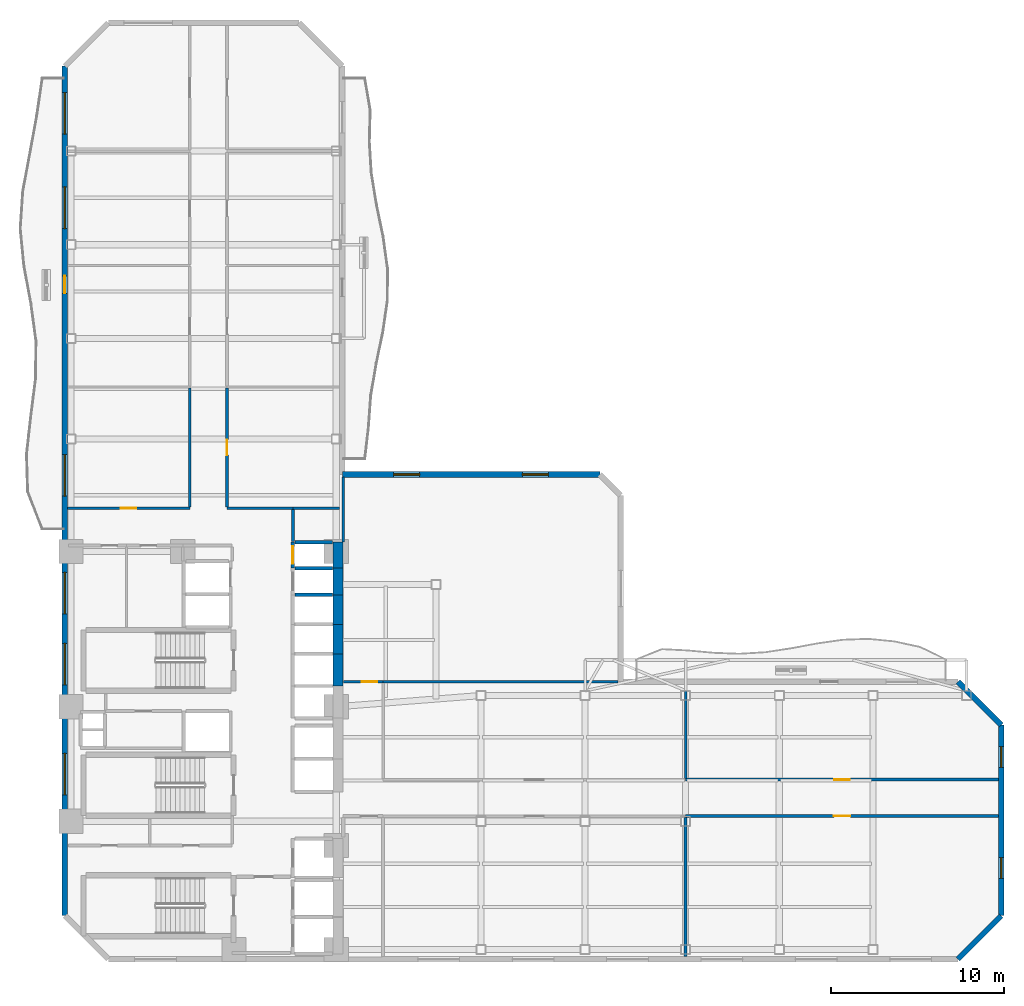
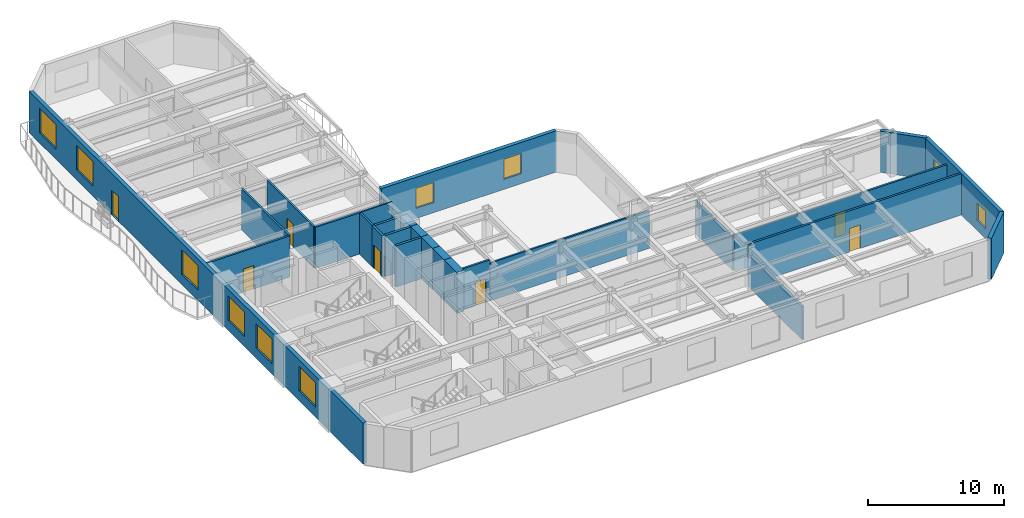
# One storey, part 5 of 10: 27 walls, 10 windows, 7 doors, 17 openings.
"""IFC4 building model written with IfcOpenShell, lengths in metres."""

import ifcopenshell
import ifcopenshell.guid

model = None  # the IFC model being written
_history = None  # IfcOwnerHistory: only IFC2X3 demands one
_inside = {}  # id of a spatial element -> (the spatial element, [elements in it])
_under = {}  # id of a project, library or spatial element -> (it, [spatial elements below it])
_declared = {}  # id of a project -> (the project, [libraries it declares])
_typed = {}  # id of a type object -> (the type object, [elements of that type])
_made_of = {}  # id of a material, layer set ... -> (it, [elements and type objects made of it])


def new_model(schema):
    """Start an empty IFC model of exactly this schema.

    Asked for "IFC4X3", IfcOpenShell would pick the latest addendum, in which some entities
    have other attributes; the version numbers below select the first issue.
    IFC2X3 requires an IfcOwnerHistory on every rooted entity: one is made here for all.
    """
    global model, _history
    if schema == "IFC4X3":
        model = ifcopenshell.file(schema_version=(4, 3, 0, 0))
    else:
        model = ifcopenshell.file(schema=schema)
    _inside.clear()
    _under.clear()
    _declared.clear()
    _typed.clear()
    _made_of.clear()
    _history = None
    if model.schema == "IFC2X3":
        org = make("IfcOrganization", Name="unknown")
        user = make(
            "IfcPersonAndOrganization",
            ThePerson=make("IfcPerson", FamilyName="unknown"),
            TheOrganization=org,
        )
        app = make(
            "IfcApplication",
            ApplicationDeveloper=org,
            Version="unknown",
            ApplicationFullName="unknown",
            ApplicationIdentifier="unknown",
        )
        _history = make(
            "IfcOwnerHistory",
            OwningUser=user,
            OwningApplication=app,
            ChangeAction="ADDED",
            CreationDate=0,
        )
    return model


def make(cls, **values):
    """One entity of the class cls with the attributes given. An attribute that is None is left unset."""
    return model.create_entity(
        cls, **{name: value for name, value in values.items() if value is not None}
    )


def rooted(cls, **values):
    """An entity with a GlobalId (a new one), such as an element, a storey or a relation."""
    return make(cls, GlobalId=ifcopenshell.guid.new(), OwnerHistory=_history, **values)


def si_unit(unit_type, name, prefix=None):
    """IfcSIUnit, for example si_unit("LENGTHUNIT", "METRE", prefix="MILLI")."""
    return make("IfcSIUnit", UnitType=unit_type, Prefix=prefix, Name=name)


def assignment(units):
    """IfcUnitAssignment: the units of a project."""
    return None if units is None else make("IfcUnitAssignment", Units=units)


def point(xyz):
    """IfcCartesianPoint."""
    return None if xyz is None else make("IfcCartesianPoint", Coordinates=xyz)


def direction(xyz):
    """IfcDirection."""
    return None if xyz is None else make("IfcDirection", DirectionRatios=xyz)


def frame(location, z_axis=None, x_axis=None):
    """IfcAxis2Placement3D, a coordinate frame: its origin and axes. An axis left out is left unset."""
    return make(
        "IfcAxis2Placement3D",
        Location=point(location),
        Axis=direction(z_axis),
        RefDirection=direction(x_axis),
    )


def frame_2d(location, x_axis=None):
    """IfcAxis2Placement2D, a coordinate frame in the plane: its origin and x axis."""
    return make(
        "IfcAxis2Placement2D", Location=point(location), RefDirection=direction(x_axis)
    )


def origin():
    """The frame at (0, 0, 0) with its axes left unset."""
    return frame((0.0, 0.0, 0.0))


def place(relative_to, where):
    """IfcLocalPlacement: puts the frame where relative to a parent placement (None: the world)."""
    return make(
        "IfcLocalPlacement", PlacementRelTo=relative_to, RelativePlacement=where
    )


def context(
    kind, dimensions, precision=None, world=None, true_north=None, identifier=None
):
    """IfcGeometricRepresentationContext, for example the 3D "Model" context."""
    return make(
        "IfcGeometricRepresentationContext",
        ContextIdentifier=identifier,
        ContextType=kind,
        CoordinateSpaceDimension=dimensions,
        Precision=precision,
        WorldCoordinateSystem=world,
        TrueNorth=true_north,
    )


def subcontext(parent, identifier, kind, view, scale=None):
    """IfcGeometricRepresentationSubContext, for example "Body" below "Model"."""
    return make(
        "IfcGeometricRepresentationSubContext",
        ContextIdentifier=identifier,
        ContextType=kind,
        ParentContext=parent,
        TargetScale=scale,
        TargetView=view,
    )


def project(units=None, contexts=None):
    """IfcProject with its units and contexts."""
    return rooted(
        "IfcProject",
        Name="project",
        RepresentationContexts=contexts,
        UnitsInContext=assignment(units),
    )


def spatial(cls, under=None, at=None, **own):
    """A site, building, storey or space (cls), placed at a placement, below another one or the project."""
    s = rooted(cls, ObjectPlacement=at, **own)
    if under is not None:
        _under.setdefault(under.id(), (under, []))[1].append(s)
    return s


def profile(cls, at=None, kind="AREA", **sizes):
    """A parametric profile (cls). Its sizes go by their IFC names, for example OverallWidth=200.0."""
    return make(cls, ProfileType=kind, Position=at, **sizes)


def rectangle(**sizes):
    """IfcRectangleProfileDef."""
    return profile("IfcRectangleProfileDef", **sizes)


def extrude(swept, where, along, depth):
    """IfcExtrudedAreaSolid: the profile swept, set in the frame where, extruded along a direction by depth."""
    return make(
        "IfcExtrudedAreaSolid",
        SweptArea=swept,
        Position=where,
        ExtrudedDirection=direction(along),
        Depth=depth,
    )


def shape(context_of_items, identifier, shape_type, items):
    """IfcShapeRepresentation: the items that make up one representation, for example the "Body"."""
    return make(
        "IfcShapeRepresentation",
        ContextOfItems=context_of_items,
        RepresentationIdentifier=identifier,
        RepresentationType=shape_type,
        Items=items,
    )


def material(Name=None, Category=None):
    """IfcMaterial."""
    return make("IfcMaterial", Name=Name, Category=Category)


def layer(
    of_material, thickness, ventilated=None, Name=None, Category=None, Priority=None
):
    """IfcMaterialLayer: one layer of a wall or slab, of a material (None: an air gap)."""
    return make(
        "IfcMaterialLayer",
        Material=of_material,
        LayerThickness=thickness,
        IsVentilated=ventilated,
        Name=Name,
        Category=Category,
        Priority=Priority,
    )


def layer_set(layers, Name=None):
    """IfcMaterialLayerSet."""
    return make("IfcMaterialLayerSet", MaterialLayers=layers, LayerSetName=Name)


def made_of(thing, what):
    """Note that an element or type object is made of a material, layer set ...; save() writes the relation."""
    if what is not None:
        _made_of.setdefault(what.id(), (what, []))[1].append(thing)
    return thing


def type_object(cls, material=None, **own):
    """A type object (cls), such as IfcWallType, which elements share."""
    return made_of(rooted(cls, **own), material)


def element(
    cls,
    number,
    at=None,
    inside=None,
    cuts=None,
    type_object=None,
    material=None,
    context=None,
    identifier="Body",
    shape_type=None,
    held_by="IfcProductDefinitionShape",
    body=None,
    shapes=None,
    **own,
):
    """One element of the class cls, such as IfcWall. Its Tag is "e" and its number.

    at: its placement. inside: the storey or other place that contains it. cuts: it is an
    opening in that element (IfcRelVoidsElement). A single representation is given by context,
    identifier, shape_type and body (its items); several are given by shapes. held_by: the class
    of the entity that holds the representations. save() writes the other relations.
    """
    e = rooted(cls, Tag="e%d" % number, ObjectPlacement=at, **own)
    if body is not None:
        shapes = [shape(context, identifier, shape_type, body)]
    if shapes is not None:
        e.Representation = make(held_by, Representations=shapes)
    if inside is not None:
        _inside.setdefault(inside.id(), (inside, []))[1].append(e)
    if cuts is not None:
        rooted(
            "IfcRelVoidsElement", RelatingBuildingElement=cuts, RelatedOpeningElement=e
        )
    if type_object is not None:
        _typed.setdefault(type_object.id(), (type_object, []))[1].append(e)
    return made_of(e, material)


def fill(opening, filler):
    """IfcRelFillsElement: the door or window that sits in an opening."""
    return rooted(
        "IfcRelFillsElement",
        RelatingOpeningElement=opening,
        RelatedBuildingElement=filler,
    )


def aggregate(whole, parts):
    """IfcRelAggregates: a whole, such as a stair, and the parts it consists of."""
    return rooted("IfcRelAggregates", RelatingObject=whole, RelatedObjects=parts)


def save(model, path):
    """Write the relations noted so far, then the file.

    IfcRelAggregates (storeys below a building ...), IfcRelContainedInSpatialStructure (elements
    in a storey), IfcRelDefinesByType, IfcRelAssociatesMaterial and IfcRelDeclares: one each for
    every whole, place, type object, material and project.
    """
    for whole, parts in _under.values():
        aggregate(whole, parts)
    for where, things in _inside.values():
        rooted(
            "IfcRelContainedInSpatialStructure",
            RelatedElements=things,
            RelatingStructure=where,
        )
    for kind, things in _typed.values():
        rooted("IfcRelDefinesByType", RelatedObjects=things, RelatingType=kind)
    for what, things in _made_of.values():
        rooted("IfcRelAssociatesMaterial", RelatedObjects=things, RelatingMaterial=what)
    for by, libraries in _declared.values():
        rooted("IfcRelDeclares", RelatingContext=by, RelatedDefinitions=libraries)
    model.write(path)


model = new_model("IFC4")

# Units and contexts
model_context = context("Model", 3, precision=1e-05, world=origin(), true_north=direction((0.0, 1.0)))
body_context = subcontext(model_context, "Body", "Model", "MODEL_VIEW")
ifc_project = project(units=[si_unit("LENGTHUNIT", "METRE"), si_unit("AREAUNIT", "SQUARE_METRE"), si_unit("VOLUMEUNIT", "CUBIC_METRE"), si_unit("PLANEANGLEUNIT", "RADIAN"), si_unit("MASSUNIT", "GRAM", prefix="KILO")], contexts=[model_context])

# Site, building, storey
site_placement = place(None, origin())
site = spatial("IfcSite", under=ifc_project, at=site_placement, CompositionType="ELEMENT")
building_placement = place(site_placement, origin())
building = spatial("IfcBuilding", under=site, at=building_placement, Name="Mawjaban Terraces University", CompositionType="ELEMENT")
storey_placement = place(building_placement, frame((0.0, 0.0, 46.60009765625)))
storey = spatial("IfcBuildingStorey", under=building, at=storey_placement, Name="L10", CompositionType="ELEMENT", Elevation=46.60009765625)

# Wall, opening, door
ifc_material_1 = material(Name="Acoustic masonry blockwork", Category="masonry")
ifc_layer_1 = layer(ifc_material_1, 0.179931640625)
ifc_layer_set_1 = layer_set([ifc_layer_1], Name="Acoustic masonry blockwork")
wall_type_1 = type_object("IfcWallType", Name="AcousticStudioWall_180", PredefinedType="PARTITIONING", material=ifc_layer_set_1)
wall_1_placement = place(storey_placement, frame((57.800048828125, 8.25, 0.0), z_axis=(0.0, 0.0, 1.0), x_axis=(1.0, 0.0, 0.0)))
wall_1 = element("IfcWall", 1, at=wall_1_placement, inside=storey, type_object=wall_type_1, Name="L10 East Academic Spine Corridor Partition 23", PredefinedType="PARTITIONING", context=body_context, shape_type="SweptSolid", body=[
    extrude(rectangle(XDim=18.044921875, YDim=0.179931640625, at=frame_2d((9.0224609375, 0.0))), origin(), (0.0, 0.0, 1.0), 3.68994140625),
])
opening_1_placement = place(wall_1_placement, frame((8.548095703125, 0.0, 0.0)))
opening_1 = element("IfcOpeningElement", 2, at=opening_1_placement, cuts=wall_1, Name="Opening ID-095", PredefinedType="OPENING", context=body_context, shape_type="SweptSolid", body=[
    extrude(rectangle(XDim=0.949951171875, YDim=2.10009765625, at=frame_2d((0.47509765625, 1.050048828125))), frame((0.0, 0.099853515625, 0.0), z_axis=(0.0, -1.0, 0.0), x_axis=(1.0, 0.0, 0.0)), (0.0, 0.0, 1.0), 0.199951171875),
])
ifc_material_2 = material(Name="Powder-coated steel frame and solid acoustic timber leaf", Category="steel")
door_type_1 = type_object("IfcDoorType", Name="StudioDoor_950x2100", OperationType="NOTDEFINED", PredefinedType="DOOR", material=ifc_material_2)
door_1_placement = place(opening_1_placement, origin())
door_1 = element("IfcDoor", 3, at=door_1_placement, inside=storey, type_object=door_type_1, Name="L10 Design Studio 4 Door", OperationType="SINGLE_SWING_LEFT", OverallHeight=2.10009765625, OverallWidth=0.949951171875, PredefinedType="DOOR", context=body_context, shape_type="SweptSolid", body=[
    extrude(rectangle(XDim=0.949951171875, YDim=2.10009765625, at=frame_2d((0.47509765625, 1.050048828125))), frame((0.0, 0.02490234375, 0.0), z_axis=(0.0, -1.0, 0.0), x_axis=(1.0, 0.0, 0.0)), (0.0, 0.0, 1.0), 0.050048828125),
])
fill(opening_1, door_1)

# Walls
wall_2_placement = place(storey_placement, frame((57.800048828125, 0.155029296875, 0.0), z_axis=(0.0, 0.0, 1.0), x_axis=(0.0, 1.0, 0.0)))
element("IfcWall", 4, at=wall_2_placement, inside=storey, type_object=wall_type_1, Name="L10 Computational Laboratory 2 Partition 45", PredefinedType="PARTITIONING", context=body_context, shape_type="SweptSolid", body=[
    extrude(rectangle(XDim=8.010009765625, YDim=0.179931640625, at=frame_2d((4.0048828125, 0.0))), origin(), (0.0, 0.0, 1.0), 2.994873046875),
])
ifc_material_3 = material(Name="Concrete C70/85", Category="concrete")
ifc_layer_2 = layer(ifc_material_3, 0.60009765625)
ifc_layer_set_2 = layer_set([ifc_layer_2], Name="Concrete C70/85")
wall_type_2 = type_object("IfcWallType", Name="CoreShearWall_600", PredefinedType="SHEAR", material=ifc_layer_set_2)
wall_3_placement = place(storey_placement, frame((37.75, 15.75, 0.0), z_axis=(0.0, 0.0, 1.0), x_axis=(0.0, 1.0, 0.0)))
element("IfcWall", 5, at=wall_3_placement, inside=storey, type_object=wall_type_2, Name="L10 Lift OL-2 Hoistway Wall East", PredefinedType="SHEAR", context=body_context, shape_type="SweptSolid", body=[
    extrude(rectangle(XDim=1.85009765625, YDim=0.60009765625, at=frame_2d((0.925048828125, 0.0))), origin(), (0.0, 0.0, 1.0), 3.68994140625),
])
for number, where, z_axis, x_axis, name in (
    (6, (37.75, 17.60009765625, 0.0), (0.0, 0.0, 1.0), (0.0, 1.0, 0.0), "L10 Lift PL-M1 Hoistway Wall East"),
    (7, (37.75, 19.300048828125, 0.0), (0.0, 0.0, 1.0), (0.0, 1.0, 0.0), "L10 Lift PL-M2 Hoistway Wall East"),
):
    element("IfcWall", number, at=place(storey_placement, frame(where, z_axis=z_axis, x_axis=x_axis)), inside=storey, type_object=wall_type_2, Name=name, PredefinedType="SHEAR", context=body_context, shape_type="SweptSolid", body=[
        extrude(rectangle(XDim=1.699951171875, YDim=0.60009765625, at=frame_2d((0.85009765625, 0.0))), origin(), (0.0, 0.0, 1.0), 3.68994140625),
    ])
wall_4_placement = place(storey_placement, frame((37.75, 21.0, 0.0), z_axis=(0.0, 0.0, 1.0), x_axis=(0.0, 1.0, 0.0)))
element("IfcWall", 8, at=wall_4_placement, inside=storey, type_object=wall_type_2, Name="L10 Lift PL-L1 Hoistway Wall East", PredefinedType="SHEAR", context=body_context, shape_type="SweptSolid", body=[
    extrude(rectangle(XDim=1.550048828125, YDim=0.60009765625, at=frame_2d((0.77490234375, 0.0))), origin(), (0.0, 0.0, 1.0), 3.68994140625),
])
wall_5_placement = place(storey_placement, frame((37.75, 22.550048828125, 0.0), z_axis=(0.0, 0.0, 1.0), x_axis=(0.0, 1.0, 0.0)))
element("IfcWall", 9, at=wall_5_placement, inside=storey, type_object=wall_type_2, Name="L10 Lift PL-L2 Hoistway Wall East", PredefinedType="SHEAR", context=body_context, shape_type="SweptSolid", body=[
    extrude(rectangle(XDim=1.5, YDim=0.60009765625, at=frame_2d((0.75, 0.0))), origin(), (0.0, 0.0, 1.0), 3.68994140625),
])

# Wall, opening, door
ifc_material_4 = material(Name="Fire-rated gypsum board on steel stud", Category="steel")
ifc_layer_3 = layer(ifc_material_4, 0.159912109375)
ifc_layer_set_3 = layer_set([ifc_layer_3], Name="Fire-rated gypsum board on steel stud")
wall_type_3 = type_object("IfcWallType", Name="CorridorPartition_160", PredefinedType="PARTITIONING", material=ifc_layer_set_3)
wall_6_placement = place(storey_placement, frame((29.199951171875, 26.0, 0.0), z_axis=(0.0, 0.0, 1.0), x_axis=(-1.0, 0.0, 0.0)))
wall_6 = element("IfcWall", 10, at=wall_6_placement, inside=storey, type_object=wall_type_3, Name="L10 North Core Cross-Corridor Partition 7", PredefinedType="PARTITIONING", context=body_context, shape_type="SweptSolid", body=[
    extrude(rectangle(XDim=7.044921875, YDim=0.159912109375, at=frame_2d((3.5224609375, 0.0))), origin(), (0.0, 0.0, 1.0), 3.68994140625),
])
opening_2_placement = place(wall_6_placement, frame((3.072021484375, 0.0, 0.0)))
opening_2 = element("IfcOpeningElement", 11, at=opening_2_placement, cuts=wall_6, Name="Opening ID-090", PredefinedType="OPENING", context=body_context, shape_type="SweptSolid", body=[
    extrude(rectangle(XDim=0.89990234375, YDim=2.10009765625, at=frame_2d((0.449951171875, 1.050048828125))), frame((0.0, 0.08984375, 0.0), z_axis=(0.0, -1.0, 0.0), x_axis=(1.0, 0.0, 0.0)), (0.0, 0.0, 1.0), 0.179931640625),
])
door_type_2 = type_object("IfcDoorType", Name="OfficeDoor_900x2100", OperationType="NOTDEFINED", PredefinedType="DOOR", material=ifc_material_2)
door_2_placement = place(opening_2_placement, origin())
door_2 = element("IfcDoor", 12, at=door_2_placement, inside=storey, type_object=door_type_2, Name="L10 Departmental Office 6 Door", OperationType="SINGLE_SWING_LEFT", OverallHeight=2.10009765625, OverallWidth=0.89990234375, PredefinedType="DOOR", context=body_context, shape_type="SweptSolid", body=[
    extrude(rectangle(XDim=0.89990234375, YDim=2.10009765625, at=frame_2d((0.449951171875, 1.050048828125))), frame((0.0, 0.02490234375, 0.0), z_axis=(0.0, -1.0, 0.0), x_axis=(1.0, 0.0, 0.0)), (0.0, 0.0, 1.0), 0.050048828125),
])
fill(opening_2, door_2)

# Wall
wall_7_placement = place(storey_placement, frame((35.14990234375, 26.0, 0.0), z_axis=(0.0, 0.0, 1.0), x_axis=(-1.0, 0.0, 0.0)))
element("IfcWall", 13, at=wall_7_placement, inside=storey, type_object=wall_type_3, Name="L10 North Core Cross-Corridor Partition 14", PredefinedType="PARTITIONING", context=body_context, shape_type="SweptSolid", body=[
    extrude(rectangle(XDim=3.7998046875, YDim=0.159912109375, at=frame_2d((1.89990234375, 0.0))), origin(), (0.0, 0.0, 1.0), 3.68994140625),
])

# Wall, opening, door
wall_8_placement = place(storey_placement, frame((40.35009765625, 16.0, 0.0), z_axis=(0.0, 0.0, 1.0), x_axis=(-1.0, 0.0, 0.0)))
wall_8 = element("IfcWall", 14, at=wall_8_placement, inside=storey, type_object=wall_type_3, Name="L10 East Academic Corridor Vestibule Partition 22", PredefinedType="PARTITIONING", context=body_context, shape_type="SweptSolid", body=[
    extrude(rectangle(XDim=2.27001953125, YDim=0.159912109375, at=frame_2d((1.135009765625, 0.0))), origin(), (0.0, 0.0, 1.0), 3.68994140625),
])
opening_3_placement = place(wall_8_placement, frame((0.3349609375, 0.0, 0.0)))
opening_3 = element("IfcOpeningElement", 15, at=opening_3_placement, cuts=wall_8, Name="Opening ID-090", PredefinedType="OPENING", context=body_context, shape_type="SweptSolid", body=[
    extrude(rectangle(XDim=0.89990234375, YDim=2.10009765625, at=frame_2d((0.449951171875, 1.050048828125))), frame((0.0, 0.08984375, 0.0), z_axis=(0.0, -1.0, 0.0), x_axis=(1.0, 0.0, 0.0)), (0.0, 0.0, 1.0), 0.179931640625),
])
door_3_placement = place(opening_3_placement, origin())
door_3 = element("IfcDoor", 16, at=door_3_placement, inside=storey, type_object=door_type_2, Name="L10 Terrace Collaborative Study Room Door", OperationType="SINGLE_SWING_LEFT", OverallHeight=2.10009765625, OverallWidth=0.89990234375, PredefinedType="DOOR", context=body_context, shape_type="SweptSolid", body=[
    extrude(rectangle(XDim=0.89990234375, YDim=2.10009765625, at=frame_2d((0.449951171875, 1.050048828125))), frame((0.0, 0.02490234375, 0.0), z_axis=(0.0, -1.0, 0.0), x_axis=(1.0, 0.0, 0.0)), (0.0, 0.0, 1.0), 0.050048828125),
])
fill(opening_3, door_3)

wall_9_placement = place(storey_placement, frame((75.844970703125, 10.35009765625, 0.0), z_axis=(0.0, 0.0, 1.0), x_axis=(-1.0, 0.0, 0.0)))
wall_9 = element("IfcWall", 17, at=wall_9_placement, inside=storey, type_object=wall_type_3, Name="L10 East Academic Spine Corridor Partition 25", PredefinedType="PARTITIONING", context=body_context, shape_type="SweptSolid", body=[
    extrude(rectangle(XDim=18.044921875, YDim=0.159912109375, at=frame_2d((9.0224609375, 0.0))), origin(), (0.0, 0.0, 1.0), 3.226806640625),
])
opening_4_placement = place(wall_9_placement, frame((8.572998046875, 0.0, 0.0)))
opening_4 = element("IfcOpeningElement", 18, at=opening_4_placement, cuts=wall_9, Name="Opening ID-090", PredefinedType="OPENING", context=body_context, shape_type="SweptSolid", body=[
    extrude(rectangle(XDim=0.89990234375, YDim=2.10009765625, at=frame_2d((0.449951171875, 1.050048828125))), frame((0.0, 0.08984375, 0.0), z_axis=(0.0, -1.0, 0.0), x_axis=(1.0, 0.0, 0.0)), (0.0, 0.0, 1.0), 0.179931640625),
])
door_4_placement = place(opening_4_placement, origin())
door_4 = element("IfcDoor", 19, at=door_4_placement, inside=storey, type_object=door_type_2, Name="L10 Faculty Office 5 Door", OperationType="SINGLE_SWING_RIGHT", OverallHeight=2.10009765625, OverallWidth=0.89990234375, PredefinedType="DOOR", context=body_context, shape_type="SweptSolid", body=[
    extrude(rectangle(XDim=0.89990234375, YDim=2.10009765625, at=frame_2d((0.449951171875, 1.050048828125))), frame((0.0, 0.02490234375, 0.0), z_axis=(0.0, -1.0, 0.0), x_axis=(1.0, 0.0, 0.0)), (0.0, 0.0, 1.0), 0.050048828125),
])
fill(opening_4, door_4)

# Wall
wall_10_placement = place(storey_placement, frame((29.199951171875, 32.943115234375, 0.0), z_axis=(0.0, 0.0, 1.0), x_axis=(0.0, -1.0, 0.0)))
element("IfcWall", 20, at=wall_10_placement, inside=storey, type_object=wall_type_3, Name="L10 North Academic Spine Corridor Partition 30", PredefinedType="PARTITIONING", context=body_context, shape_type="SweptSolid", body=[
    extrude(rectangle(XDim=6.8681640625, YDim=0.159912109375, at=frame_2d((3.43408203125, 0.0))), origin(), (0.0, 0.0, 1.0), 3.68994140625),
])

# Wall, opening, door
wall_11_placement = place(storey_placement, frame((31.35009765625, 26.074951171875, 0.0), z_axis=(0.0, 0.0, 1.0), x_axis=(0.0, 1.0, 0.0)))
wall_11 = element("IfcWall", 21, at=wall_11_placement, inside=storey, type_object=wall_type_3, Name="L10 North Academic Spine Corridor Partition 34", PredefinedType="PARTITIONING", context=body_context, shape_type="SweptSolid", body=[
    extrude(rectangle(XDim=6.8681640625, YDim=0.159912109375, at=frame_2d((3.43408203125, 0.0))), origin(), (0.0, 0.0, 1.0), 3.68994140625),
])
opening_5_placement = place(wall_11_placement, frame((2.98388671875, 0.0, 0.0)))
opening_5 = element("IfcOpeningElement", 22, at=opening_5_placement, cuts=wall_11, Name="Opening ID-090", PredefinedType="OPENING", context=body_context, shape_type="SweptSolid", body=[
    extrude(rectangle(XDim=0.89990234375, YDim=2.10009765625, at=frame_2d((0.449951171875, 1.050048828125))), frame((0.0, 0.08984375, 0.0), z_axis=(0.0, -1.0, 0.0), x_axis=(1.0, 0.0, 0.0)), (0.0, 0.0, 1.0), 0.179931640625),
])
door_5_placement = place(opening_5_placement, origin())
door_5 = element("IfcDoor", 23, at=door_5_placement, inside=storey, type_object=door_type_2, Name="L10 Academic Workspace 7 Door", OperationType="SINGLE_SWING_RIGHT", OverallHeight=2.10009765625, OverallWidth=0.89990234375, PredefinedType="DOOR", context=body_context, shape_type="SweptSolid", body=[
    extrude(rectangle(XDim=0.89990234375, YDim=2.10009765625, at=frame_2d((0.449951171875, 1.050048828125))), frame((0.0, 0.02490234375, 0.0), z_axis=(0.0, -1.0, 0.0), x_axis=(1.0, 0.0, 0.0)), (0.0, 0.0, 1.0), 0.050048828125),
])
fill(opening_5, door_5)

# Walls
wall_12_placement = place(storey_placement, frame((35.14990234375, 24.070068359375, 0.0), z_axis=(0.0, 0.0, 1.0), x_axis=(0.0, 1.0, 0.0)))
element("IfcWall", 24, at=wall_12_placement, inside=storey, type_object=wall_type_3, Name="L10 North Core Cross-Corridor Partition 40", PredefinedType="PARTITIONING", context=body_context, shape_type="SweptSolid", body=[
    extrude(rectangle(XDim=1.85498046875, YDim=0.159912109375, at=frame_2d((0.927490234375, 0.0))), origin(), (0.0, 0.0, 1.0), 3.68994140625),
])
ifc_material_5 = material(Name="Insulated terracotta rainscreen on concrete backup C40/50", Category="masonry")
ifc_layer_4 = layer(ifc_material_5, 0.320068359375)
ifc_layer_set_4 = layer_set([ifc_layer_4], Name="Insulated terracotta rainscreen on concrete backup C40/50")
wall_type_4 = type_object("IfcWallType", Name="ExtTerracottaWall_320", PredefinedType="SOLIDWALL", material=ifc_layer_set_4)
wall_13_placement = place(storey_placement, frame((73.5, 0.0, 0.0), z_axis=(0.0, 0.0, 1.0), x_axis=(0.707106781187, 0.707106781187, 0.0)))
element("IfcWall", 25, at=wall_13_placement, inside=storey, type_object=wall_type_4, Name="L10 Exterior Terracotta Wall 2", PredefinedType="SOLIDWALL", context=body_context, shape_type="SweptSolid", body=[
    extrude(rectangle(XDim=3.53564453125, YDim=0.320068359375, at=frame_2d((1.767822265625, 0.0))), origin(), (0.0, 0.0, 1.0), 3.68994140625),
])

# Wall, openings, windows
wall_14_placement = place(storey_placement, frame((76.0, 2.5, 0.0), z_axis=(0.0, 0.0, 1.0), x_axis=(0.0, 1.0, 0.0)))
wall_14 = element("IfcWall", 26, at=wall_14_placement, inside=storey, type_object=wall_type_4, Name="L10 Exterior Terracotta Wall 3", PredefinedType="SOLIDWALL", context=body_context, shape_type="SweptSolid", body=[
    extrude(rectangle(XDim=11.0, YDim=0.320068359375, at=frame_2d((5.5, 0.0))), origin(), (0.0, 0.0, 1.0), 3.68994140625),
])
opening_6_placement = place(wall_14_placement, frame((2.14990234375, 0.0, 0.89990234375)))
opening_6 = element("IfcOpeningElement", 27, at=opening_6_placement, cuts=wall_14, Name="Opening W-01", PredefinedType="OPENING", context=body_context, shape_type="SweptSolid", body=[
    extrude(rectangle(XDim=1.199951171875, YDim=1.60009765625, at=frame_2d((0.60009765625, 0.800048828125))), frame((0.0, 0.169921875, 0.0), z_axis=(0.0, -1.0, 0.0), x_axis=(1.0, 0.0, 0.0)), (0.0, 0.0, 1.0), 0.340087890625),
])
opening_7_placement = place(wall_14_placement, frame((8.550048828125, 0.0, 0.89990234375)))
opening_7 = element("IfcOpeningElement", 28, at=opening_7_placement, cuts=wall_14, Name="Opening W-01", PredefinedType="OPENING", context=body_context, shape_type="SweptSolid", body=[
    extrude(rectangle(XDim=1.199951171875, YDim=1.60009765625, at=frame_2d((0.60009765625, 0.800048828125))), frame((0.0, 0.169921875, 0.0), z_axis=(0.0, -1.0, 0.0), x_axis=(1.0, 0.0, 0.0)), (0.0, 0.0, 1.0), 0.340087890625),
])
ifc_material_6 = material(Name="Low-E solar-control double glazing in thermally broken aluminium frame", Category="aluminium")
window_type_1 = type_object("IfcWindowType", Name="Win_1200x1600", PartitioningType="SINGLE_PANEL", PredefinedType="WINDOW", material=ifc_material_6)
window_1_placement = place(opening_6_placement, origin())
window_1 = element("IfcWindow", 29, at=window_1_placement, inside=storey, type_object=window_type_1, Name="L10 Facade Window 3.1", OverallHeight=1.60009765625, OverallWidth=1.199951171875, PartitioningType="SINGLE_PANEL", PredefinedType="WINDOW", context=body_context, shape_type="SweptSolid", body=[
    extrude(rectangle(XDim=1.199951171875, YDim=1.60009765625, at=frame_2d((0.60009765625, 0.800048828125))), frame((0.0, 0.030029296875, 0.0), z_axis=(0.0, -1.0, 0.0), x_axis=(1.0, 0.0, 0.0)), (0.0, 0.0, 1.0), 0.06005859375),
])
fill(opening_6, window_1)
window_2_placement = place(opening_7_placement, origin())
window_2 = element("IfcWindow", 30, at=window_2_placement, inside=storey, type_object=window_type_1, Name="L10 Facade Window 3.2", OverallHeight=1.60009765625, OverallWidth=1.199951171875, PartitioningType="SINGLE_PANEL", PredefinedType="WINDOW", context=body_context, shape_type="SweptSolid", body=[
    extrude(rectangle(XDim=1.199951171875, YDim=1.60009765625, at=frame_2d((0.60009765625, 0.800048828125))), frame((0.0, 0.030029296875, 0.0), z_axis=(0.0, -1.0, 0.0), x_axis=(1.0, 0.0, 0.0)), (0.0, 0.0, 1.0), 0.06005859375),
])
fill(opening_7, window_2)

# Wall
wall_15_placement = place(storey_placement, frame((76.0, 13.5, 0.0), z_axis=(0.0, 0.0, 1.0), x_axis=(-0.707106781187, 0.707106781187, 0.0)))
element("IfcWall", 31, at=wall_15_placement, inside=storey, type_object=wall_type_4, Name="L10 Exterior Terracotta Wall 4", PredefinedType="SOLIDWALL", context=body_context, shape_type="SweptSolid", body=[
    extrude(rectangle(XDim=3.53564453125, YDim=0.320068359375, at=frame_2d((1.767822265625, 0.0))), origin(), (0.0, 0.0, 1.0), 3.68994140625),
])

# Wall, openings, windows
wall_16_placement = place(storey_placement, frame((52.85009765625, 27.947021484375, 0.0), z_axis=(0.0, 0.0, 1.0), x_axis=(-1.0, 0.0, 0.0)))
wall_16 = element("IfcWall", 32, at=wall_16_placement, inside=storey, type_object=wall_type_4, Name="L10 Exterior Terracotta Wall 8", PredefinedType="SOLIDWALL", context=body_context, shape_type="SweptSolid", body=[
    extrude(rectangle(XDim=14.85009765625, YDim=0.320068359375, at=frame_2d((7.425048828125, 0.0))), origin(), (0.0, 0.0, 1.0), 3.68994140625),
])
opening_8_placement = place(wall_16_placement, frame((2.962890625, 0.0, 0.89990234375)))
opening_8 = element("IfcOpeningElement", 33, at=opening_8_placement, cuts=wall_16, Name="Opening W-06", PredefinedType="OPENING", context=body_context, shape_type="SweptSolid", body=[
    extrude(rectangle(XDim=1.5, YDim=1.800048828125, at=frame_2d((0.75, 0.89990234375))), frame((0.0, 0.169921875, 0.0), z_axis=(0.0, -1.0, 0.0), x_axis=(1.0, 0.0, 0.0)), (0.0, 0.0, 1.0), 0.340087890625),
])
opening_9_placement = place(wall_16_placement, frame((10.387939453125, 0.0, 0.89990234375)))
opening_9 = element("IfcOpeningElement", 34, at=opening_9_placement, cuts=wall_16, Name="Opening W-06", PredefinedType="OPENING", context=body_context, shape_type="SweptSolid", body=[
    extrude(rectangle(XDim=1.5, YDim=1.800048828125, at=frame_2d((0.75, 0.89990234375))), frame((0.0, 0.169921875, 0.0), z_axis=(0.0, -1.0, 0.0), x_axis=(1.0, 0.0, 0.0)), (0.0, 0.0, 1.0), 0.340087890625),
])
window_type_2 = type_object("IfcWindowType", Name="Win_1500x1800", PartitioningType="SINGLE_PANEL", PredefinedType="WINDOW", material=ifc_material_6)
window_3_placement = place(opening_8_placement, origin())
window_3 = element("IfcWindow", 35, at=window_3_placement, inside=storey, type_object=window_type_2, Name="L10 Facade Window 8.1", OverallHeight=1.800048828125, OverallWidth=1.5, PartitioningType="SINGLE_PANEL", PredefinedType="WINDOW", context=body_context, shape_type="SweptSolid", body=[
    extrude(rectangle(XDim=1.5, YDim=1.800048828125, at=frame_2d((0.75, 0.89990234375))), frame((0.0, 0.030029296875, 0.0), z_axis=(0.0, -1.0, 0.0), x_axis=(1.0, 0.0, 0.0)), (0.0, 0.0, 1.0), 0.06005859375),
])
fill(opening_8, window_3)
window_4_placement = place(opening_9_placement, origin())
window_4 = element("IfcWindow", 36, at=window_4_placement, inside=storey, type_object=window_type_2, Name="L10 Facade Window 8.2", OverallHeight=1.800048828125, OverallWidth=1.5, PartitioningType="SINGLE_PANEL", PredefinedType="WINDOW", context=body_context, shape_type="SweptSolid", body=[
    extrude(rectangle(XDim=1.5, YDim=1.800048828125, at=frame_2d((0.75, 0.89990234375))), frame((0.0, 0.030029296875, 0.0), z_axis=(0.0, -1.0, 0.0), x_axis=(1.0, 0.0, 0.0)), (0.0, 0.0, 1.0), 0.06005859375),
])
fill(opening_9, window_4)

# Wall, openings, door, windows
wall_17_placement = place(storey_placement, frame((22.0, 51.5, 0.0), z_axis=(0.0, 0.0, 1.0), x_axis=(0.0, -1.0, 0.0)))
wall_17 = element("IfcWall", 37, at=wall_17_placement, inside=storey, type_object=wall_type_4, Name="L10 Exterior Terracotta Wall 13", PredefinedType="SOLIDWALL", context=body_context, shape_type="SweptSolid", body=[
    extrude(rectangle(XDim=49.0, YDim=0.320068359375, at=frame_2d((24.5, 0.0))), origin(), (0.0, 0.0, 1.0), 3.68994140625),
])
opening_10_placement = place(wall_17_placement, frame((12.10009765625, 0.0, 0.0)))
opening_10 = element("IfcOpeningElement", 38, at=opening_10_placement, cuts=wall_17, Name="Opening BD-100", PredefinedType="OPENING", context=body_context, shape_type="SweptSolid", body=[
    extrude(rectangle(XDim=1.0, YDim=2.199951171875, at=frame_2d((0.5, 1.10009765625))), frame((0.0, 0.169921875, 0.0), z_axis=(0.0, -1.0, 0.0), x_axis=(1.0, 0.0, 0.0)), (0.0, 0.0, 1.0), 0.340087890625),
])
opening_11_placement = place(wall_17_placement, frame((1.52197265625, 0.0, 0.89990234375)))
opening_11 = element("IfcOpeningElement", 39, at=opening_11_placement, cuts=wall_17, Name="Opening W-11", PredefinedType="OPENING", context=body_context, shape_type="SweptSolid", body=[
    extrude(rectangle(XDim=2.39990234375, YDim=2.199951171875, at=frame_2d((1.199951171875, 1.10009765625))), frame((0.0, 0.169921875, 0.0), z_axis=(0.0, -1.0, 0.0), x_axis=(1.0, 0.0, 0.0)), (0.0, 0.0, 1.0), 0.340087890625),
])
opening_12_placement = place(wall_17_placement, frame((6.967041015625, 0.0, 0.89990234375)))
opening_12 = element("IfcOpeningElement", 40, at=opening_12_placement, cuts=wall_17, Name="Opening W-11", PredefinedType="OPENING", context=body_context, shape_type="SweptSolid", body=[
    extrude(rectangle(XDim=2.39990234375, YDim=2.199951171875, at=frame_2d((1.199951171875, 1.10009765625))), frame((0.0, 0.169921875, 0.0), z_axis=(0.0, -1.0, 0.0), x_axis=(1.0, 0.0, 0.0)), (0.0, 0.0, 1.0), 0.340087890625),
])
opening_13_placement = place(wall_17_placement, frame((22.39990234375, 0.0, 0.89990234375)))
opening_13 = element("IfcOpeningElement", 41, at=opening_13_placement, cuts=wall_17, Name="Opening W-11", PredefinedType="OPENING", context=body_context, shape_type="SweptSolid", body=[
    extrude(rectangle(XDim=2.39990234375, YDim=2.199951171875, at=frame_2d((1.199951171875, 1.10009765625))), frame((0.0, 0.169921875, 0.0), z_axis=(0.0, -1.0, 0.0), x_axis=(1.0, 0.0, 0.0)), (0.0, 0.0, 1.0), 0.340087890625),
])
opening_14_placement = place(wall_17_placement, frame((29.194091796875, 0.0, 0.89990234375)))
opening_14 = element("IfcOpeningElement", 42, at=opening_14_placement, cuts=wall_17, Name="Opening W-11", PredefinedType="OPENING", context=body_context, shape_type="SweptSolid", body=[
    extrude(rectangle(XDim=2.39990234375, YDim=2.199951171875, at=frame_2d((1.199951171875, 1.10009765625))), frame((0.0, 0.169921875, 0.0), z_axis=(0.0, -1.0, 0.0), x_axis=(1.0, 0.0, 0.0)), (0.0, 0.0, 1.0), 0.340087890625),
])
opening_15_placement = place(wall_17_placement, frame((33.2890625, 0.0, 0.89990234375)))
opening_15 = element("IfcOpeningElement", 43, at=opening_15_placement, cuts=wall_17, Name="Opening W-11", PredefinedType="OPENING", context=body_context, shape_type="SweptSolid", body=[
    extrude(rectangle(XDim=2.39990234375, YDim=2.199951171875, at=frame_2d((1.199951171875, 1.10009765625))), frame((0.0, 0.169921875, 0.0), z_axis=(0.0, -1.0, 0.0), x_axis=(1.0, 0.0, 0.0)), (0.0, 0.0, 1.0), 0.340087890625),
])
opening_16_placement = place(wall_17_placement, frame((39.633056640625, 0.0, 0.89990234375)))
opening_16 = element("IfcOpeningElement", 44, at=opening_16_placement, cuts=wall_17, Name="Opening W-11", PredefinedType="OPENING", context=body_context, shape_type="SweptSolid", body=[
    extrude(rectangle(XDim=2.39990234375, YDim=2.199951171875, at=frame_2d((1.199951171875, 1.10009765625))), frame((0.0, 0.169921875, 0.0), z_axis=(0.0, -1.0, 0.0), x_axis=(1.0, 0.0, 0.0)), (0.0, 0.0, 1.0), 0.340087890625),
])
ifc_material_7 = material(Name="Thermally broken anodised aluminium and laminated safety glass", Category="aluminium")
door_type_3 = type_object("IfcDoorType", Name="BalconyGlazedDoor_1000x2200", OperationType="NOTDEFINED", PredefinedType="DOOR", material=ifc_material_7)
door_6_placement = place(opening_10_placement, origin())
door_6 = element("IfcDoor", 45, at=door_6_placement, inside=storey, type_object=door_type_3, Name="L10 Balcony Access Door west", OperationType="SINGLE_SWING_LEFT", OverallHeight=2.199951171875, OverallWidth=1.0, PredefinedType="DOOR", context=body_context, shape_type="SweptSolid", body=[
    extrude(rectangle(XDim=1.0, YDim=2.199951171875, at=frame_2d((0.5, 1.10009765625))), frame((0.0, 0.02490234375, 0.0), z_axis=(0.0, -1.0, 0.0), x_axis=(1.0, 0.0, 0.0)), (0.0, 0.0, 1.0), 0.050048828125),
])
fill(opening_10, door_6)
window_type_3 = type_object("IfcWindowType", Name="Win_2400x2200", PartitioningType="SINGLE_PANEL", PredefinedType="WINDOW", material=ifc_material_6)
window_5_placement = place(opening_11_placement, origin())
window_5 = element("IfcWindow", 46, at=window_5_placement, inside=storey, type_object=window_type_3, Name="L10 Facade Window 13.1", OverallHeight=2.199951171875, OverallWidth=2.39990234375, PartitioningType="SINGLE_PANEL", PredefinedType="WINDOW", context=body_context, shape_type="SweptSolid", body=[
    extrude(rectangle(XDim=2.39990234375, YDim=2.199951171875, at=frame_2d((1.199951171875, 1.10009765625))), frame((0.0, 0.030029296875, 0.0), z_axis=(0.0, -1.0, 0.0), x_axis=(1.0, 0.0, 0.0)), (0.0, 0.0, 1.0), 0.06005859375),
])
fill(opening_11, window_5)
window_6_placement = place(opening_12_placement, origin())
window_6 = element("IfcWindow", 47, at=window_6_placement, inside=storey, type_object=window_type_3, Name="L10 Facade Window 13.2", OverallHeight=2.199951171875, OverallWidth=2.39990234375, PartitioningType="SINGLE_PANEL", PredefinedType="WINDOW", context=body_context, shape_type="SweptSolid", body=[
    extrude(rectangle(XDim=2.39990234375, YDim=2.199951171875, at=frame_2d((1.199951171875, 1.10009765625))), frame((0.0, 0.030029296875, 0.0), z_axis=(0.0, -1.0, 0.0), x_axis=(1.0, 0.0, 0.0)), (0.0, 0.0, 1.0), 0.06005859375),
])
fill(opening_12, window_6)
window_7_placement = place(opening_13_placement, origin())
window_7 = element("IfcWindow", 48, at=window_7_placement, inside=storey, type_object=window_type_3, Name="L10 Facade Window 13.5", OverallHeight=2.199951171875, OverallWidth=2.39990234375, PartitioningType="SINGLE_PANEL", PredefinedType="WINDOW", context=body_context, shape_type="SweptSolid", body=[
    extrude(rectangle(XDim=2.39990234375, YDim=2.199951171875, at=frame_2d((1.199951171875, 1.10009765625))), frame((0.0, 0.030029296875, 0.0), z_axis=(0.0, -1.0, 0.0), x_axis=(1.0, 0.0, 0.0)), (0.0, 0.0, 1.0), 0.06005859375),
])
fill(opening_13, window_7)
window_8_placement = place(opening_14_placement, origin())
window_8 = element("IfcWindow", 49, at=window_8_placement, inside=storey, type_object=window_type_3, Name="L10 Facade Window 13.6", OverallHeight=2.199951171875, OverallWidth=2.39990234375, PartitioningType="SINGLE_PANEL", PredefinedType="WINDOW", context=body_context, shape_type="SweptSolid", body=[
    extrude(rectangle(XDim=2.39990234375, YDim=2.199951171875, at=frame_2d((1.199951171875, 1.10009765625))), frame((0.0, 0.030029296875, 0.0), z_axis=(0.0, -1.0, 0.0), x_axis=(1.0, 0.0, 0.0)), (0.0, 0.0, 1.0), 0.06005859375),
])
fill(opening_14, window_8)
window_9_placement = place(opening_15_placement, origin())
window_9 = element("IfcWindow", 50, at=window_9_placement, inside=storey, type_object=window_type_3, Name="L10 Facade Window 13.7", OverallHeight=2.199951171875, OverallWidth=2.39990234375, PartitioningType="SINGLE_PANEL", PredefinedType="WINDOW", context=body_context, shape_type="SweptSolid", body=[
    extrude(rectangle(XDim=2.39990234375, YDim=2.199951171875, at=frame_2d((1.199951171875, 1.10009765625))), frame((0.0, 0.030029296875, 0.0), z_axis=(0.0, -1.0, 0.0), x_axis=(1.0, 0.0, 0.0)), (0.0, 0.0, 1.0), 0.06005859375),
])
fill(opening_15, window_9)
window_10_placement = place(opening_16_placement, origin())
window_10 = element("IfcWindow", 51, at=window_10_placement, inside=storey, type_object=window_type_3, Name="L10 Facade Window 13.8", OverallHeight=2.199951171875, OverallWidth=2.39990234375, PartitioningType="SINGLE_PANEL", PredefinedType="WINDOW", context=body_context, shape_type="SweptSolid", body=[
    extrude(rectangle(XDim=2.39990234375, YDim=2.199951171875, at=frame_2d((1.199951171875, 1.10009765625))), frame((0.0, 0.030029296875, 0.0), z_axis=(0.0, -1.0, 0.0), x_axis=(1.0, 0.0, 0.0)), (0.0, 0.0, 1.0), 0.06005859375),
])
fill(opening_16, window_10)

# Walls
ifc_material_8 = material(Name="Concrete C40/50", Category="concrete")
ifc_layer_5 = layer(ifc_material_8, 0.199951171875)
ifc_layer_set_5 = layer_set([ifc_layer_5], Name="Concrete C40/50")
wall_type_5 = type_object("IfcWallType", Name="FireLobbyWall_200", PredefinedType="SOLIDWALL", material=ifc_layer_set_5)
for number, where, z_axis, x_axis, name in (
    (52, (37.419921875, 21.0, 0.0), (0.0, 0.0, 1.0), (-1.0, 0.0, 0.0), "L10 Lift PL-M2 Hoistway Wall North"),
    (53, (37.419921875, 22.550048828125, 0.0), (0.0, 0.0, 1.0), (-1.0, 0.0, 0.0), "L10 Lift PL-L1 Hoistway Wall North"),
):
    element("IfcWall", number, at=place(storey_placement, frame(where, z_axis=z_axis, x_axis=x_axis)), inside=storey, type_object=wall_type_5, Name=name, PredefinedType="SOLIDWALL", context=body_context, shape_type="SweptSolid", body=[
        extrude(rectangle(XDim=2.139892578125, YDim=0.199951171875, at=frame_2d((1.06982421875, 0.0))), origin(), (0.0, 0.0, 1.0), 3.68994140625),
    ])

# Wall, opening, door
wall_18_placement = place(storey_placement, frame((35.14990234375, 24.050048828125, 0.0), z_axis=(0.0, 0.0, 1.0), x_axis=(0.0, -1.0, 0.0)))
wall_18 = element("IfcWall", 54, at=wall_18_placement, inside=storey, type_object=wall_type_5, Name="L10 Lift PL-L2 Hoistway Wall West", PredefinedType="SOLIDWALL", context=body_context, shape_type="SweptSolid", body=[
    extrude(rectangle(XDim=1.5, YDim=0.199951171875, at=frame_2d((0.75, 0.0))), origin(), (0.0, 0.0, 1.0), 3.68994140625),
])
opening_17_placement = place(wall_18_placement, frame((0.25, 0.0, 0.0)))
opening_17 = element("IfcOpeningElement", 55, at=opening_17_placement, cuts=wall_18, Name="Opening LD-PL-L2", PredefinedType="OPENING", context=body_context, shape_type="SweptSolid", body=[
    extrude(rectangle(XDim=1.0, YDim=2.10009765625, at=frame_2d((0.5, 1.050048828125))), frame((0.0, 0.10986328125, 0.0), z_axis=(0.0, -1.0, 0.0), x_axis=(1.0, 0.0, 0.0)), (0.0, 0.0, 1.0), 0.219970703125),
])
ifc_material_9 = material(Name="Powder-coated steel frame and fire-rated steel-faced leaf", Category="steel")
door_type_4 = type_object("IfcDoorType", Name="LiftLandingSliding_1000x2100", OperationType="NOTDEFINED", PredefinedType="DOOR", material=ifc_material_9)
door_7_placement = place(opening_17_placement, origin())
door_7 = element("IfcDoor", 56, at=door_7_placement, inside=storey, type_object=door_type_4, Name="L10 Lift PL-L2 Sliding Landing Door", OperationType="DOUBLE_DOOR_SLIDING", OverallHeight=2.10009765625, OverallWidth=1.0, PredefinedType="DOOR", context=body_context, shape_type="SweptSolid", body=[
    extrude(rectangle(XDim=1.0, YDim=2.10009765625, at=frame_2d((0.5, 1.050048828125))), frame((0.0, 0.02490234375, 0.0), z_axis=(0.0, -1.0, 0.0), x_axis=(1.0, 0.0, 0.0)), (0.0, 0.0, 1.0), 0.050048828125),
])
fill(opening_17, door_7)

# Walls
wall_19_placement = place(storey_placement, frame((37.419921875, 24.050048828125, 0.0), z_axis=(0.0, 0.0, 1.0), x_axis=(-1.0, 0.0, 0.0)))
element("IfcWall", 57, at=wall_19_placement, inside=storey, type_object=wall_type_5, Name="L10 Lift PL-L2 Hoistway Wall North", PredefinedType="SOLIDWALL", context=body_context, shape_type="SweptSolid", body=[
    extrude(rectangle(XDim=2.139892578125, YDim=0.199951171875, at=frame_2d((1.06982421875, 0.0))), origin(), (0.0, 0.0, 1.0), 3.68994140625),
])
ifc_material_10 = material(Name="Moisture-resistant gypsum board on steel stud", Category="steel")
ifc_layer_6 = layer(ifc_material_10, 0.14501953125)
ifc_layer_set_6 = layer_set([ifc_layer_6], Name="Moisture-resistant gypsum board on steel stud")
wall_type_6 = type_object("IfcWallType", Name="LabPartition_145", PredefinedType="PARTITIONING", material=ifc_layer_set_6)
wall_20_placement = place(storey_placement, frame((40.35009765625, 16.0, 0.0), z_axis=(0.0, 0.0, 1.0), x_axis=(1.0, 0.0, 0.0)))
element("IfcWall", 58, at=wall_20_placement, inside=storey, type_object=wall_type_6, Name="L10 Terrace Collaborative Study Room Partition 21", PredefinedType="PARTITIONING", context=body_context, shape_type="SweptSolid", body=[
    extrude(rectangle(XDim=13.544921875, YDim=0.14501953125, at=frame_2d((6.7724609375, 0.0))), origin(), (0.0, 0.0, 1.0), 3.389892578125),
])
wall_21_placement = place(storey_placement, frame((57.800048828125, 10.425048828125, 0.0), z_axis=(0.0, 0.0, 1.0), x_axis=(0.0, 1.0, 0.0)))
element("IfcWall", 59, at=wall_21_placement, inside=storey, type_object=wall_type_6, Name="L10 Teaching Laboratory 3 Partition 46", PredefinedType="PARTITIONING", context=body_context, shape_type="SweptSolid", body=[
    extrude(rectangle(XDim=5.419921875, YDim=0.14501953125, at=frame_2d((2.7099609375, 0.0))), origin(), (0.0, 0.0, 1.0), 2.994873046875),
])
ifc_material_11 = material(Name="Gypsum plasterboard on steel stud", Category="steel")
ifc_layer_7 = layer(ifc_material_11, 0.125)
ifc_layer_set_7 = layer_set([ifc_layer_7], Name="Gypsum plasterboard on steel stud")
wall_type_7 = type_object("IfcWallType", Name="OfficePartition_125", PredefinedType="PARTITIONING", material=ifc_layer_set_7)
wall_22_placement = place(storey_placement, frame((35.14990234375, 26.0, 0.0), z_axis=(0.0, 0.0, 1.0), x_axis=(1.0, 0.0, 0.0)))
element("IfcWall", 60, at=wall_22_placement, inside=storey, type_object=wall_type_7, Name="L10 Academic Workspace 7 Partition 15", PredefinedType="PARTITIONING", context=body_context, shape_type="SweptSolid", body=[
    extrude(rectangle(XDim=2.7001953125, YDim=0.125, at=frame_2d((1.35009765625, 0.0))), origin(), (0.0, 0.0, 1.0), 3.68994140625),
])
wall_23_placement = place(storey_placement, frame((38.050048828125, 27.7919921875, 0.0), z_axis=(0.0, 0.0, 1.0), x_axis=(0.0, -1.0, 0.0)))
element("IfcWall", 61, at=wall_23_placement, inside=storey, type_object=wall_type_7, Name="L10 Terrace Collaborative Study Room Partition 42", PredefinedType="PARTITIONING", context=body_context, shape_type="SweptSolid", body=[
    extrude(rectangle(XDim=3.741943359375, YDim=0.125, at=frame_2d((1.87109375, 0.0))), origin(), (0.0, 0.0, 1.0), 2.994873046875),
])

save(model, "model.ifc")
